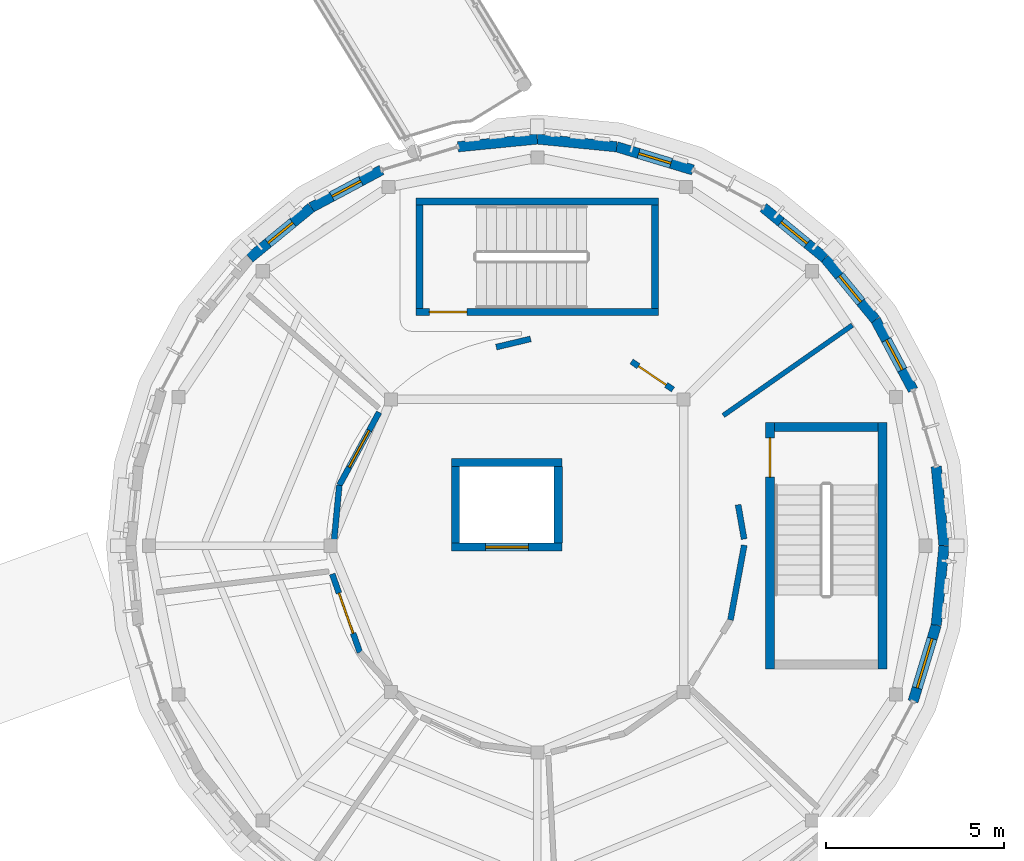
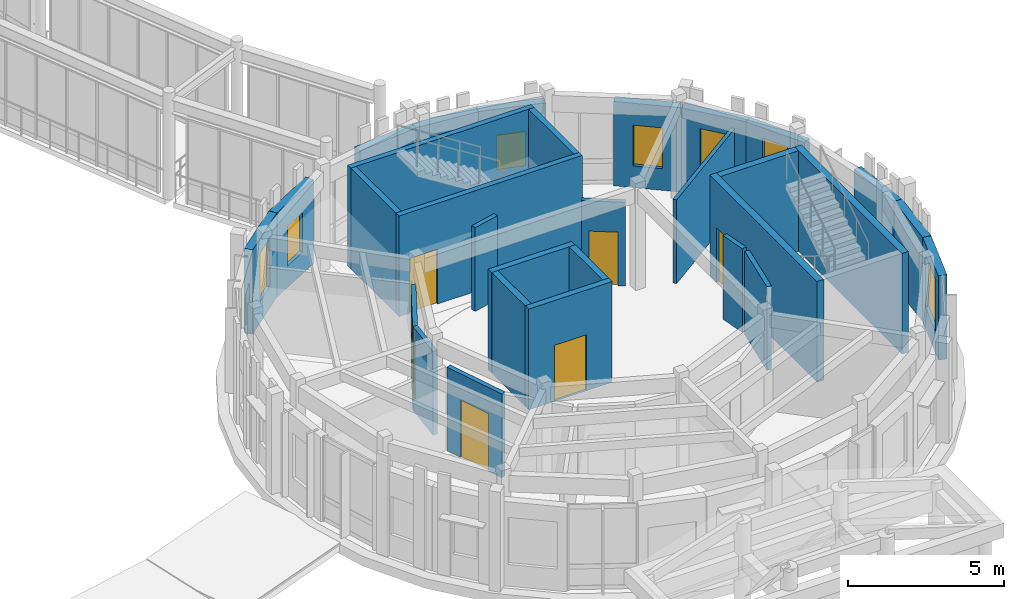
# One storey, part 54 of 80: 30 walls, 7 windows, 6 doors, 13 openings.
"""IFC4 building model written with IfcOpenShell, lengths in metres."""

from ifc_helpers import new_model, si_unit, direction, frame, frame_2d, origin, place, context, subcontext, project, spatial, rectangle, extrude, material, layer, layer_set, type_object, element, fill, save


model = new_model("IFC4")

# Units and contexts
model_context = context("Model", 3, precision=1e-05, world=origin(), true_north=direction((0.0, 1.0)))
body_context = subcontext(model_context, "Body", "Model", "MODEL_VIEW")
ifc_project = project(units=[si_unit("LENGTHUNIT", "METRE"), si_unit("AREAUNIT", "SQUARE_METRE"), si_unit("VOLUMEUNIT", "CUBIC_METRE"), si_unit("PLANEANGLEUNIT", "RADIAN"), si_unit("MASSUNIT", "GRAM", prefix="KILO")], contexts=[model_context])

# Site, building, storey
site_placement = place(None, origin())
site = spatial("IfcSite", under=ifc_project, at=site_placement, CompositionType="ELEMENT")
building_placement = place(site_placement, origin())
building = spatial("IfcBuilding", under=site, at=building_placement, Name="Aldenvaro Health Centre", CompositionType="ELEMENT")
storey_placement = place(building_placement, frame((0.0, 0.0, 4.550048828125)))
storey = spatial("IfcBuildingStorey", under=building, at=storey_placement, Name="L01", CompositionType="ELEMENT", Elevation=4.550048828125)

# Wall
ifc_material_1 = material(Name="Gypsum Stud Acoustic Assembly")
ifc_layer_1 = layer(ifc_material_1, 0.1650390625, Name="Gypsum Stud Acoustic Assembly")
ifc_layer_set_1 = layer_set([ifc_layer_1], Name="Gypsum Stud Acoustic Assembly")
wall_type_1 = type_object("IfcWallType", Name="WL-COR-165", PredefinedType="PARTITIONING", material=ifc_layer_set_1)
wall_1_placement = place(storey_placement, frame((154.31298828125, 24.297119140625, 0.0), z_axis=(0.0, 0.0, 1.0), x_axis=(-0.972586166784, -0.232542787849, 0.0)))
element("IfcWall", 1, at=wall_1_placement, inside=storey, type_object=wall_type_1, Name="D6 L01 corridor wall 01.1", PredefinedType="PARTITIONING", context=body_context, shape_type="SweptSolid", body=[
    extrude(rectangle(XDim=0.989990234375, YDim=0.1650390625, at=frame_2d((0.4951171875, 0.0))), origin(), (0.0, 0.0, 1.0), 3.283935546875),
])

# Wall, opening, door
wall_2_placement = place(storey_placement, frame((150.06689453125, 22.239990234375, 0.0), z_axis=(0.0, 0.0, 1.0), x_axis=(-0.478565523384, -0.878051843474, 0.0)))
wall_2 = element("IfcWall", 2, at=wall_2_placement, inside=storey, type_object=wall_type_1, Name="D6 L01 corridor wall 02.1", PredefinedType="PARTITIONING", context=body_context, shape_type="SweptSolid", body=[
    extrude(rectangle(XDim=2.327880859375, YDim=0.1650390625, at=frame_2d((1.1640625, 0.0))), origin(), (0.0, 0.0, 1.0), 3.283935546875),
])
opening_1_placement = place(wall_2_placement, frame((0.5791015625, 0.0, 0.0)))
opening_1 = element("IfcOpeningElement", 3, at=opening_1_placement, cuts=wall_2, Name="Opening D-25", PredefinedType="OPENING", context=body_context, shape_type="SweptSolid", body=[
    extrude(rectangle(XDim=1.169921875, YDim=2.239990234375, at=frame_2d((0.5849609375, 1.1201171875))), frame((0.0, 0.092529296875, 0.0), z_axis=(0.0, -1.0, 0.0), x_axis=(1.0, 0.0, 0.0)), (0.0, 0.0, 1.0), 0.18505859375),
])
ifc_material_2 = material(Name="Exam Suite Timber Door", Category="wood")
door_type_1 = type_object("IfcDoorType", Name="DR-CLN-25", OperationType="NOTDEFINED", PredefinedType="DOOR", material=ifc_material_2)
door_1_placement = place(opening_1_placement, origin())
door_1 = element("IfcDoor", 4, at=door_1_placement, inside=storey, type_object=door_type_1, Name="Dental Clinic Operatory Bay 02 Door", OperationType="SINGLE_SWING_RIGHT", OverallHeight=2.239990234375, OverallWidth=1.169921875, PredefinedType="DOOR", context=body_context, shape_type="SweptSolid", body=[
    extrude(rectangle(XDim=1.169921875, YDim=2.239990234375, at=frame_2d((0.5849609375, 1.1201171875))), frame((0.0, 0.02490234375, 0.0), z_axis=(0.0, -1.0, 0.0), x_axis=(1.0, 0.0, 0.0)), (0.0, 0.0, 1.0), 0.050048828125),
])
fill(opening_1, door_1)

# Wall
wall_3_placement = place(storey_placement, frame((148.952880859375, 20.196044921875, 0.0), z_axis=(0.0, 0.0, 1.0), x_axis=(-0.094258636882, -0.995547743392, 0.0)))
element("IfcWall", 5, at=wall_3_placement, inside=storey, type_object=wall_type_1, Name="D6 L01 corridor wall 02.2", PredefinedType="PARTITIONING", context=body_context, shape_type="SweptSolid", body=[
    extrude(rectangle(XDim=1.548828125, YDim=0.1650390625, at=frame_2d((0.7744140625, 0.0))), origin(), (0.0, 0.0, 1.0), 3.283935546875),
])

# Wall, opening, door
wall_4_placement = place(storey_placement, frame((148.75390625, 17.7080078125, 0.0), z_axis=(0.0, 0.0, 1.0), x_axis=(0.332606133603, -0.943065830093, 0.0)))
wall_4 = element("IfcWall", 6, at=wall_4_placement, inside=storey, type_object=wall_type_1, Name="D6 L01 corridor wall 03.1", PredefinedType="PARTITIONING", context=body_context, shape_type="SweptSolid", body=[
    extrude(rectangle(XDim=2.32763671875, YDim=0.1650390625, at=frame_2d((1.163818359375, 0.0))), origin(), (0.0, 0.0, 1.0), 3.283935546875),
])
opening_2_placement = place(wall_4_placement, frame((0.569091796875, 0.0, 0.0)))
opening_2 = element("IfcOpeningElement", 7, at=opening_2_placement, cuts=wall_4, Name="Opening D-26", PredefinedType="OPENING", context=body_context, shape_type="SweptSolid", body=[
    extrude(rectangle(XDim=1.18994140625, YDim=2.260009765625, at=frame_2d((0.594970703125, 1.1298828125))), frame((0.0, 0.092529296875, 0.0), z_axis=(0.0, -1.0, 0.0), x_axis=(1.0, 0.0, 0.0)), (0.0, 0.0, 1.0), 0.18505859375),
])
door_type_2 = type_object("IfcDoorType", Name="DR-CLN-26", OperationType="NOTDEFINED", PredefinedType="DOOR", material=ifc_material_2)
door_2_placement = place(opening_2_placement, origin())
door_2 = element("IfcDoor", 8, at=door_2_placement, inside=storey, type_object=door_type_2, Name="Dental Clinic Operatory Bay 03 Door", OperationType="SINGLE_SWING_LEFT", OverallHeight=2.260009765625, OverallWidth=1.18994140625, PredefinedType="DOOR", context=body_context, shape_type="SweptSolid", body=[
    extrude(rectangle(XDim=1.18994140625, YDim=2.260009765625, at=frame_2d((0.594970703125, 1.1298828125))), frame((0.0, 0.02490234375, 0.0), z_axis=(0.0, -1.0, 0.0), x_axis=(1.0, 0.0, 0.0)), (0.0, 0.0, 1.0), 0.050048828125),
])
fill(opening_2, door_2)

# Walls
wall_5_placement = place(storey_placement, frame((159.9150390625, 16.4208984375, 0.0), z_axis=(0.0, 0.0, 1.0), x_axis=(0.180832621822, 0.983513885456, 0.0)))
element("IfcWall", 9, at=wall_5_placement, inside=storey, type_object=wall_type_1, Name="D6 L01 corridor wall 06.2", PredefinedType="PARTITIONING", context=body_context, shape_type="SweptSolid", body=[
    extrude(rectangle(XDim=2.129150390625, YDim=0.1650390625, at=frame_2d((1.064453125, 0.0))), origin(), (0.0, 0.0, 1.0), 3.283935546875),
])
wall_6_placement = place(storey_placement, frame((160.297119140625, 18.68701171875, 0.0), z_axis=(0.0, 0.0, 1.0), x_axis=(-0.172089509946, 0.985081316728, 0.0)))
element("IfcWall", 10, at=wall_6_placement, inside=storey, type_object=wall_type_1, Name="D6 L01 corridor wall 07.1", PredefinedType="PARTITIONING", context=body_context, shape_type="SweptSolid", body=[
    extrude(rectangle(XDim=0.9775390625, YDim=0.1650390625, at=frame_2d((0.48876953125, 0.0))), origin(), (0.0, 0.0, 1.0), 3.283935546875),
])

# Wall, opening, door
wall_7_placement = place(storey_placement, frame((158.304931640625, 22.876953125, 0.0), z_axis=(0.0, 0.0, 1.0), x_axis=(-0.82861509232, 0.559818746362, 0.0)))
wall_7 = element("IfcWall", 11, at=wall_7_placement, inside=storey, type_object=wall_type_1, Name="D6 L01 corridor wall 08.1", PredefinedType="PARTITIONING", context=body_context, shape_type="SweptSolid", body=[
    extrude(rectangle(XDim=1.406005859375, YDim=0.1650390625, at=frame_2d((0.703125, 0.0))), origin(), (0.0, 0.0, 1.0), 3.283935546875),
])
opening_3_placement = place(wall_7_placement, frame((0.23291015625, 0.0, 0.0)))
opening_3 = element("IfcOpeningElement", 12, at=opening_3_placement, cuts=wall_7, Name="Opening WD-02", PredefinedType="OPENING", context=body_context, shape_type="SweptSolid", body=[
    extrude(rectangle(XDim=0.93994140625, YDim=2.10009765625, at=frame_2d((0.469970703125, 1.050048828125))), frame((0.0, 0.092529296875, 0.0), z_axis=(0.0, -1.0, 0.0), x_axis=(1.0, 0.0, 0.0)), (0.0, 0.0, 1.0), 0.18505859375),
])
ifc_material_3 = material(Name="Accessible Sanitary Laminate Door")
door_type_3 = type_object("IfcDoorType", Name="DR-WC-02", OperationType="NOTDEFINED", PredefinedType="DOOR", material=ifc_material_3)
door_3_placement = place(opening_3_placement, origin())
door_3 = element("IfcDoor", 13, at=door_3_placement, inside=storey, type_object=door_type_3, Name="Male Patient WC Door", OperationType="SINGLE_SWING_LEFT", OverallHeight=2.10009765625, OverallWidth=0.93994140625, PredefinedType="DOOR", context=body_context, shape_type="SweptSolid", body=[
    extrude(rectangle(XDim=0.93994140625, YDim=2.10009765625, at=frame_2d((0.469970703125, 1.050048828125))), frame((0.0, 0.02490234375, 0.0), z_axis=(0.0, -1.0, 0.0), x_axis=(1.0, 0.0, 0.0)), (0.0, 0.0, 1.0), 0.050048828125),
])
fill(opening_3, door_3)

# Wall
ifc_material_4 = material(Name="Cross-laminated timber CLT E1", Category="wood")
ifc_layer_2 = layer(ifc_material_4, 0.2900390625, Name="Cross-laminated timber CLT E1", Category="wood")
ifc_layer_set_2 = layer_set([ifc_layer_2], Name="Cross-laminated timber CLT E1")
wall_type_2 = type_object("IfcWallType", Name="WL-EXT-290", PredefinedType="ELEMENTEDWALL", material=ifc_layer_set_2)
wall_8_placement = place(storey_placement, frame((165.89990234375, 18.5, 0.0), z_axis=(0.0, 0.0, 1.0), x_axis=(-0.097989369151, -0.995187461503, 0.0)))
element("IfcWall", 14, at=wall_8_placement, inside=storey, type_object=wall_type_2, Name="D6 L01 exterior wall 01", PredefinedType="ELEMENTEDWALL", context=body_context, shape_type="SweptSolid", body=[
    extrude(rectangle(XDim=2.23486328125, YDim=0.2900390625, at=frame_2d((1.117431640625, 0.0))), origin(), (0.0, 0.0, 1.0), 3.308837890625),
])

# Wall, opening, window
wall_9_placement = place(storey_placement, frame((165.680908203125, 16.27587890625, 0.0), z_axis=(0.0, 0.0, 1.0), x_axis=(-0.290322655883, -0.956928814218, 0.0)))
wall_9 = element("IfcWall", 15, at=wall_9_placement, inside=storey, type_object=wall_type_2, Name="D6 L01 exterior wall 02", PredefinedType="ELEMENTEDWALL", context=body_context, shape_type="SweptSolid", body=[
    extrude(rectangle(XDim=2.235107421875, YDim=0.2900390625, at=frame_2d((1.11767578125, 0.0))), origin(), (0.0, 0.0, 1.0), 3.308837890625),
])
opening_4_placement = place(wall_9_placement, frame((0.39306640625, 0.0, 0.85009765625)))
opening_4 = element("IfcOpeningElement", 16, at=opening_4_placement, cuts=wall_9, Name="Opening W-61", PredefinedType="OPENING", context=body_context, shape_type="SweptSolid", body=[
    extrude(rectangle(XDim=1.449951171875, YDim=2.050048828125, at=frame_2d((0.72509765625, 1.02490234375))), frame((0.0, 0.155029296875, 0.0), z_axis=(0.0, -1.0, 0.0), x_axis=(1.0, 0.0, 0.0)), (0.0, 0.0, 1.0), 0.31005859375),
])
ifc_material_5 = material(Name="Thermally Broken Aluminium Low-E Glass", Category="aluminium")
window_type_1 = type_object("IfcWindowType", Name="WN-EXT-61", PartitioningType="SINGLE_PANEL", PredefinedType="WINDOW", material=ifc_material_5)
window_1_placement = place(opening_4_placement, origin())
window_1 = element("IfcWindow", 17, at=window_1_placement, inside=storey, type_object=window_type_1, Name="D6 L01 clinical window 02", OverallHeight=2.050048828125, OverallWidth=1.449951171875, PartitioningType="SINGLE_PANEL", PredefinedType="WINDOW", context=body_context, shape_type="SweptSolid", body=[
    extrude(rectangle(XDim=1.449951171875, YDim=2.050048828125, at=frame_2d((0.72509765625, 1.02490234375))), frame((0.0, 0.030029296875, 0.0), z_axis=(0.0, -1.0, 0.0), x_axis=(1.0, 0.0, 0.0)), (0.0, 0.0, 1.0), 0.06005859375),
])
fill(opening_4, window_1)

wall_10_placement = place(storey_placement, frame((146.43896484375, 26.56103515625, 0.0), z_axis=(0.0, 0.0, 1.0), x_axis=(0.772875513354, 0.63455767339, 0.0)))
wall_10 = element("IfcWall", 18, at=wall_10_placement, inside=storey, type_object=wall_type_2, Name="D6 L01 exterior wall 21", PredefinedType="ELEMENTEDWALL", context=body_context, shape_type="SweptSolid", body=[
    extrude(rectangle(XDim=2.234619140625, YDim=0.2900390625, at=frame_2d((1.1171875, 0.0))), origin(), (0.0, 0.0, 1.0), 3.308837890625),
])
opening_5_placement = place(wall_10_placement, frame((0.6669921875, 0.0, 0.85009765625)))
opening_5 = element("IfcOpeningElement", 19, at=opening_5_placement, cuts=wall_10, Name="Opening W-07", PredefinedType="OPENING", context=body_context, shape_type="SweptSolid", body=[
    extrude(rectangle(XDim=0.89990234375, YDim=1.89990234375, at=frame_2d((0.449951171875, 0.949951171875))), frame((0.0, 0.155029296875, 0.0), z_axis=(0.0, -1.0, 0.0), x_axis=(1.0, 0.0, 0.0)), (0.0, 0.0, 1.0), 0.31005859375),
])
window_type_2 = type_object("IfcWindowType", Name="WN-EXT-07", PartitioningType="SINGLE_PANEL", PredefinedType="WINDOW", material=ifc_material_5)
window_2_placement = place(opening_5_placement, origin())
window_2 = element("IfcWindow", 20, at=window_2_placement, inside=storey, type_object=window_type_2, Name="D6 L01 clinical window 21", OverallHeight=1.89990234375, OverallWidth=0.89990234375, PartitioningType="SINGLE_PANEL", PredefinedType="WINDOW", context=body_context, shape_type="SweptSolid", body=[
    extrude(rectangle(XDim=0.89990234375, YDim=1.89990234375, at=frame_2d((0.449951171875, 0.949951171875))), frame((0.0, 0.030029296875, 0.0), z_axis=(0.0, -1.0, 0.0), x_axis=(1.0, 0.0, 0.0)), (0.0, 0.0, 1.0), 0.06005859375),
])
fill(opening_5, window_2)

wall_11_placement = place(storey_placement, frame((148.166015625, 27.97900390625, 0.0), z_axis=(0.0, 0.0, 1.0), x_axis=(0.882017012185, 0.471217561446, 0.0)))
wall_11 = element("IfcWall", 21, at=wall_11_placement, inside=storey, type_object=wall_type_2, Name="D6 L01 exterior wall 22", PredefinedType="ELEMENTEDWALL", context=body_context, shape_type="SweptSolid", body=[
    extrude(rectangle(XDim=2.234619140625, YDim=0.2900390625, at=frame_2d((1.1171875, 0.0))), origin(), (0.0, 0.0, 1.0), 3.308837890625),
])
opening_6_placement = place(wall_11_placement, frame((0.656982421875, 0.0, 0.85009765625)))
opening_6 = element("IfcOpeningElement", 22, at=opening_6_placement, cuts=wall_11, Name="Opening W-08", PredefinedType="OPENING", context=body_context, shape_type="SweptSolid", body=[
    extrude(rectangle(XDim=0.919921875, YDim=1.550048828125, at=frame_2d((0.4599609375, 0.77490234375))), frame((0.0, 0.155029296875, 0.0), z_axis=(0.0, -1.0, 0.0), x_axis=(1.0, 0.0, 0.0)), (0.0, 0.0, 1.0), 0.31005859375),
])
window_type_3 = type_object("IfcWindowType", Name="WN-EXT-08", PartitioningType="SINGLE_PANEL", PredefinedType="WINDOW", material=ifc_material_5)
window_3_placement = place(opening_6_placement, origin())
window_3 = element("IfcWindow", 23, at=window_3_placement, inside=storey, type_object=window_type_3, Name="D6 L01 clinical window 22", OverallHeight=1.550048828125, OverallWidth=0.919921875, PartitioningType="SINGLE_PANEL", PredefinedType="WINDOW", context=body_context, shape_type="SweptSolid", body=[
    extrude(rectangle(XDim=0.919921875, YDim=1.550048828125, at=frame_2d((0.4599609375, 0.77490234375))), frame((0.0, 0.030029296875, 0.0), z_axis=(0.0, -1.0, 0.0), x_axis=(1.0, 0.0, 0.0)), (0.0, 0.0, 1.0), 0.06005859375),
])
fill(opening_6, window_3)

# Walls
for number, where, z_axis, x_axis, name in (
    (24, (152.27587890625, 29.680908203125, 0.0), (0.0, 0.0, 1.0), (0.995187461503, 0.097989369151, 0.0), "D6 L01 exterior wall 24"),
    (25, (154.5, 29.89990234375, 0.0), (0.0, 0.0, 1.0), (0.995187461503, -0.097989369151, 0.0), "D6 L01 exterior wall 25"),
):
    element("IfcWall", number, at=place(storey_placement, frame(where, z_axis=z_axis, x_axis=x_axis)), inside=storey, type_object=wall_type_2, Name=name, PredefinedType="ELEMENTEDWALL", context=body_context, shape_type="SweptSolid", body=[
        extrude(rectangle(XDim=2.23486328125, YDim=0.2900390625, at=frame_2d((1.117431640625, 0.0))), origin(), (0.0, 0.0, 1.0), 3.308837890625),
    ])

# Wall, opening, window
wall_12_placement = place(storey_placement, frame((156.72412109375, 29.680908203125, 0.0), z_axis=(0.0, 0.0, 1.0), x_axis=(0.956928814218, -0.290322655883, 0.0)))
wall_12 = element("IfcWall", 26, at=wall_12_placement, inside=storey, type_object=wall_type_2, Name="D6 L01 exterior wall 26", PredefinedType="ELEMENTEDWALL", context=body_context, shape_type="SweptSolid", body=[
    extrude(rectangle(XDim=2.235107421875, YDim=0.2900390625, at=frame_2d((1.11767578125, 0.0))), origin(), (0.0, 0.0, 1.0), 3.308837890625),
])
opening_7_placement = place(wall_12_placement, frame((0.64306640625, 0.0, 0.85009765625)))
opening_7 = element("IfcOpeningElement", 27, at=opening_7_placement, cuts=wall_12, Name="Opening W-09", PredefinedType="OPENING", context=body_context, shape_type="SweptSolid", body=[
    extrude(rectangle(XDim=0.949951171875, YDim=1.35009765625, at=frame_2d((0.47509765625, 0.675048828125))), frame((0.0, 0.155029296875, 0.0), z_axis=(0.0, -1.0, 0.0), x_axis=(1.0, 0.0, 0.0)), (0.0, 0.0, 1.0), 0.31005859375),
])
window_type_4 = type_object("IfcWindowType", Name="WN-EXT-09", PartitioningType="SINGLE_PANEL", PredefinedType="WINDOW", material=ifc_material_5)
window_4_placement = place(opening_7_placement, origin())
window_4 = element("IfcWindow", 28, at=window_4_placement, inside=storey, type_object=window_type_4, Name="D6 L01 clinical window 26", OverallHeight=1.35009765625, OverallWidth=0.949951171875, PartitioningType="SINGLE_PANEL", PredefinedType="WINDOW", context=body_context, shape_type="SweptSolid", body=[
    extrude(rectangle(XDim=0.949951171875, YDim=1.35009765625, at=frame_2d((0.47509765625, 0.675048828125))), frame((0.0, 0.030029296875, 0.0), z_axis=(0.0, -1.0, 0.0), x_axis=(1.0, 0.0, 0.0)), (0.0, 0.0, 1.0), 0.06005859375),
])
fill(opening_7, window_4)

wall_13_placement = place(storey_placement, frame((160.833984375, 27.97900390625, 0.0), z_axis=(0.0, 0.0, 1.0), x_axis=(0.772875513354, -0.63455767339, 0.0)))
wall_13 = element("IfcWall", 29, at=wall_13_placement, inside=storey, type_object=wall_type_2, Name="D6 L01 exterior wall 28", PredefinedType="ELEMENTEDWALL", context=body_context, shape_type="SweptSolid", body=[
    extrude(rectangle(XDim=2.234619140625, YDim=0.2900390625, at=frame_2d((1.1171875, 0.0))), origin(), (0.0, 0.0, 1.0), 3.308837890625),
])
opening_8_placement = place(wall_13_placement, frame((0.64208984375, 0.0, 0.85009765625)))
opening_8 = element("IfcOpeningElement", 30, at=opening_8_placement, cuts=wall_13, Name="Opening W-10", PredefinedType="OPENING", context=body_context, shape_type="SweptSolid", body=[
    extrude(rectangle(XDim=0.949951171875, YDim=1.60009765625, at=frame_2d((0.47509765625, 0.800048828125))), frame((0.0, 0.155029296875, 0.0), z_axis=(0.0, -1.0, 0.0), x_axis=(1.0, 0.0, 0.0)), (0.0, 0.0, 1.0), 0.31005859375),
])
window_type_5 = type_object("IfcWindowType", Name="WN-EXT-10", PartitioningType="SINGLE_PANEL", PredefinedType="WINDOW", material=ifc_material_5)
window_5_placement = place(opening_8_placement, origin())
window_5 = element("IfcWindow", 31, at=window_5_placement, inside=storey, type_object=window_type_5, Name="D6 L01 clinical window 28", OverallHeight=1.60009765625, OverallWidth=0.949951171875, PartitioningType="SINGLE_PANEL", PredefinedType="WINDOW", context=body_context, shape_type="SweptSolid", body=[
    extrude(rectangle(XDim=0.949951171875, YDim=1.60009765625, at=frame_2d((0.47509765625, 0.800048828125))), frame((0.0, 0.030029296875, 0.0), z_axis=(0.0, -1.0, 0.0), x_axis=(1.0, 0.0, 0.0)), (0.0, 0.0, 1.0), 0.06005859375),
])
fill(opening_8, window_5)

wall_14_placement = place(storey_placement, frame((162.56103515625, 26.56103515625, 0.0), z_axis=(0.0, 0.0, 1.0), x_axis=(0.63455767339, -0.772875513354, 0.0)))
wall_14 = element("IfcWall", 32, at=wall_14_placement, inside=storey, type_object=wall_type_2, Name="D6 L01 exterior wall 29", PredefinedType="ELEMENTEDWALL", context=body_context, shape_type="SweptSolid", body=[
    extrude(rectangle(XDim=2.234619140625, YDim=0.2900390625, at=frame_2d((1.1171875, 0.0))), origin(), (0.0, 0.0, 1.0), 3.308837890625),
])
opening_9_placement = place(wall_14_placement, frame((0.64208984375, 0.0, 0.85009765625)))
opening_9 = element("IfcOpeningElement", 33, at=opening_9_placement, cuts=wall_14, Name="Opening W-11", PredefinedType="OPENING", context=body_context, shape_type="SweptSolid", body=[
    extrude(rectangle(XDim=0.949951171875, YDim=1.800048828125, at=frame_2d((0.47509765625, 0.89990234375))), frame((0.0, 0.155029296875, 0.0), z_axis=(0.0, -1.0, 0.0), x_axis=(1.0, 0.0, 0.0)), (0.0, 0.0, 1.0), 0.31005859375),
])
window_type_6 = type_object("IfcWindowType", Name="WN-EXT-11", PartitioningType="SINGLE_PANEL", PredefinedType="WINDOW", material=ifc_material_5)
window_6_placement = place(opening_9_placement, origin())
window_6 = element("IfcWindow", 34, at=window_6_placement, inside=storey, type_object=window_type_6, Name="D6 L01 clinical window 29", OverallHeight=1.800048828125, OverallWidth=0.949951171875, PartitioningType="SINGLE_PANEL", PredefinedType="WINDOW", context=body_context, shape_type="SweptSolid", body=[
    extrude(rectangle(XDim=0.949951171875, YDim=1.800048828125, at=frame_2d((0.47509765625, 0.89990234375))), frame((0.0, 0.030029296875, 0.0), z_axis=(0.0, -1.0, 0.0), x_axis=(1.0, 0.0, 0.0)), (0.0, 0.0, 1.0), 0.06005859375),
])
fill(opening_9, window_6)

wall_15_placement = place(storey_placement, frame((163.97900390625, 24.833984375, 0.0), z_axis=(0.0, 0.0, 1.0), x_axis=(0.471217561446, -0.882017012185, 0.0)))
wall_15 = element("IfcWall", 35, at=wall_15_placement, inside=storey, type_object=wall_type_2, Name="D6 L01 exterior wall 30", PredefinedType="ELEMENTEDWALL", context=body_context, shape_type="SweptSolid", body=[
    extrude(rectangle(XDim=2.234619140625, YDim=0.2900390625, at=frame_2d((1.1171875, 0.0))), origin(), (0.0, 0.0, 1.0), 3.308837890625),
])
opening_10_placement = place(wall_15_placement, frame((0.64208984375, 0.0, 0.85009765625)))
opening_10 = element("IfcOpeningElement", 36, at=opening_10_placement, cuts=wall_15, Name="Opening W-12", PredefinedType="OPENING", context=body_context, shape_type="SweptSolid", body=[
    extrude(rectangle(XDim=0.949951171875, YDim=2.050048828125, at=frame_2d((0.47509765625, 1.02490234375))), frame((0.0, 0.155029296875, 0.0), z_axis=(0.0, -1.0, 0.0), x_axis=(1.0, 0.0, 0.0)), (0.0, 0.0, 1.0), 0.31005859375),
])
window_type_7 = type_object("IfcWindowType", Name="WN-EXT-12", PartitioningType="SINGLE_PANEL", PredefinedType="WINDOW", material=ifc_material_5)
window_7_placement = place(opening_10_placement, origin())
window_7 = element("IfcWindow", 37, at=window_7_placement, inside=storey, type_object=window_type_7, Name="D6 L01 clinical window 30", OverallHeight=2.050048828125, OverallWidth=0.949951171875, PartitioningType="SINGLE_PANEL", PredefinedType="WINDOW", context=body_context, shape_type="SweptSolid", body=[
    extrude(rectangle(XDim=0.949951171875, YDim=2.050048828125, at=frame_2d((0.47509765625, 1.02490234375))), frame((0.0, 0.030029296875, 0.0), z_axis=(0.0, -1.0, 0.0), x_axis=(1.0, 0.0, 0.0)), (0.0, 0.0, 1.0), 0.06005859375),
])
fill(opening_10, window_7)

# Wall
wall_16_placement = place(storey_placement, frame((165.680908203125, 20.72412109375, 0.0), z_axis=(0.0, 0.0, 1.0), x_axis=(0.097989369151, -0.995187461503, 0.0)))
element("IfcWall", 38, at=wall_16_placement, inside=storey, type_object=wall_type_2, Name="D6 L01 exterior wall 32", PredefinedType="ELEMENTEDWALL", context=body_context, shape_type="SweptSolid", body=[
    extrude(rectangle(XDim=2.23486328125, YDim=0.2900390625, at=frame_2d((1.117431640625, 0.0))), origin(), (0.0, 0.0, 1.0), 3.308837890625),
])

# Wall, opening, door
ifc_material_6 = material(Name="Concrete f'c 40 MPa", Category="concrete")
ifc_layer_3 = layer(ifc_material_6, 0.199951171875, Name="Concrete f'c 40 MPa", Category="concrete")
ifc_layer_set_3 = layer_set([ifc_layer_3], Name="Concrete f'c 40 MPa")
wall_type_3 = type_object("IfcWallType", Name="WL-SHAFT-200", PredefinedType="SHEAR", material=ifc_layer_set_3)
wall_17_placement = place(storey_placement, frame((151.10009765625, 25.050048828125, 0.0), z_axis=(0.0, 0.0, 1.0), x_axis=(1.0, 0.0, 0.0)))
wall_17 = element("IfcWall", 39, at=wall_17_placement, inside=storey, type_object=wall_type_3, Name="ST-12 L01 inner core wall", PredefinedType="SHEAR", context=body_context, shape_type="SweptSolid", body=[
    extrude(rectangle(XDim=6.7998046875, YDim=0.199951171875, at=frame_2d((3.39990234375, 0.0))), origin(), (0.0, 0.0, 1.0), 3.954833984375),
])
opening_11_placement = place(wall_17_placement, frame((0.3798828125, 0.0, 0.0)))
opening_11 = element("IfcOpeningElement", 40, at=opening_11_placement, cuts=wall_17, Name="Opening FD-02", PredefinedType="OPENING", context=body_context, shape_type="SweptSolid", body=[
    extrude(rectangle(XDim=1.050048828125, YDim=2.14990234375, at=frame_2d((0.52490234375, 1.074951171875))), frame((0.0, 0.10986328125, 0.0), z_axis=(0.0, -1.0, 0.0), x_axis=(1.0, 0.0, 0.0)), (0.0, 0.0, 1.0), 0.219970703125),
])
ifc_material_7 = material(Name="Fire-Rated Steel Door Assembly", Category="steel")
door_type_4 = type_object("IfcDoorType", Name="DR-STAIR-105", OperationType="NOTDEFINED", PredefinedType="DOOR", material=ifc_material_7)
door_4_placement = place(opening_11_placement, origin())
door_4 = element("IfcDoor", 41, at=door_4_placement, inside=storey, type_object=door_type_4, Name="ST-12 L01 fire stair door", OperationType="SINGLE_SWING_LEFT", OverallHeight=2.14990234375, OverallWidth=1.050048828125, PredefinedType="DOOR", context=body_context, shape_type="SweptSolid", body=[
    extrude(rectangle(XDim=1.050048828125, YDim=2.14990234375, at=frame_2d((0.52490234375, 1.074951171875))), frame((0.0, 0.02490234375, 0.0), z_axis=(0.0, -1.0, 0.0), x_axis=(1.0, 0.0, 0.0)), (0.0, 0.0, 1.0), 0.050048828125),
])
fill(opening_11, door_4)

# Walls
wall_18_placement = place(storey_placement, frame((151.10009765625, 28.14990234375, 0.0), z_axis=(0.0, 0.0, 1.0), x_axis=(1.0, 0.0, 0.0)))
element("IfcWall", 42, at=wall_18_placement, inside=storey, type_object=wall_type_3, Name="ST-12 L01 far core wall", PredefinedType="SHEAR", context=body_context, shape_type="SweptSolid", body=[
    extrude(rectangle(XDim=6.7998046875, YDim=0.199951171875, at=frame_2d((3.39990234375, 0.0))), origin(), (0.0, 0.0, 1.0), 3.954833984375),
])
for number, where, z_axis, x_axis, name in (
    (43, (151.199951171875, 25.14990234375, 0.0), (0.0, 0.0, 1.0), (0.0, 1.0, 0.0), "ST-12 L01 side core wall L"),
    (44, (157.800048828125, 25.14990234375, 0.0), (0.0, 0.0, 1.0), (0.0, 1.0, 0.0), "ST-12 L01 side core wall R"),
):
    element("IfcWall", number, at=place(storey_placement, frame(where, z_axis=z_axis, x_axis=x_axis)), inside=storey, type_object=wall_type_3, Name=name, PredefinedType="SHEAR", context=body_context, shape_type="SweptSolid", body=[
        extrude(rectangle(XDim=2.900146484375, YDim=0.199951171875, at=frame_2d((1.4501953125, 0.0))), origin(), (0.0, 0.0, 1.0), 3.954833984375),
    ])

# Wall, opening, door
ifc_layer_4 = layer(ifc_material_6, 0.22509765625, Name="Concrete f'c 40 MPa", Category="concrete")
ifc_layer_set_4 = layer_set([ifc_layer_4], Name="Concrete f'c 40 MPa")
wall_type_4 = type_object("IfcWallType", Name="WL-SHAFT-225", PredefinedType="SHEAR", material=ifc_layer_set_4)
wall_19_placement = place(storey_placement, frame((152.10009765625, 18.4619140625, 0.0), z_axis=(0.0, 0.0, 1.0), x_axis=(1.0, 0.0, 0.0)))
wall_19 = element("IfcWall", 45, at=wall_19_placement, inside=storey, type_object=wall_type_4, Name="LF-06 L01 lift shaft front wall", PredefinedType="SHEAR", context=body_context, shape_type="SweptSolid", body=[
    extrude(rectangle(XDim=3.099853515625, YDim=0.22509765625, at=frame_2d((1.5498046875, 0.0))), origin(), (0.0, 0.0, 1.0), 3.954833984375),
])
opening_12_placement = place(wall_19_placement, frame((0.949951171875, 0.0, 0.0)))
opening_12 = element("IfcOpeningElement", 46, at=opening_12_placement, cuts=wall_19, Name="Opening LD-01", PredefinedType="OPENING", context=body_context, shape_type="SweptSolid", body=[
    extrude(rectangle(XDim=1.199951171875, YDim=2.199951171875, at=frame_2d((0.60009765625, 1.10009765625))), frame((0.0, 0.12255859375, 0.0), z_axis=(0.0, -1.0, 0.0), x_axis=(1.0, 0.0, 0.0)), (0.0, 0.0, 1.0), 0.2451171875),
])
ifc_material_8 = material(Name="Stainless Steel Lift Landing Door", Category="steel")
door_type_5 = type_object("IfcDoorType", Name="DR-LIFT-120", OperationType="DOUBLE_DOOR_SLIDING", PredefinedType="DOOR", material=ifc_material_8)
door_5_placement = place(opening_12_placement, origin())
door_5 = element("IfcDoor", 47, at=door_5_placement, inside=storey, type_object=door_type_5, Name="Lift LF-06 L01 Sliding Landing Door", OperationType="DOUBLE_DOOR_SLIDING", OverallHeight=2.199951171875, OverallWidth=1.199951171875, PredefinedType="DOOR", context=body_context, shape_type="SweptSolid", body=[
    extrude(rectangle(XDim=1.199951171875, YDim=2.199951171875, at=frame_2d((0.60009765625, 1.10009765625))), frame((0.0, 0.02490234375, 0.0), z_axis=(0.0, -1.0, 0.0), x_axis=(1.0, 0.0, 0.0)), (0.0, 0.0, 1.0), 0.050048828125),
])
fill(opening_12, door_5)

# Walls
wall_20_placement = place(storey_placement, frame((152.10009765625, 20.8369140625, 0.0), z_axis=(0.0, 0.0, 1.0), x_axis=(1.0, 0.0, 0.0)))
element("IfcWall", 48, at=wall_20_placement, inside=storey, type_object=wall_type_4, Name="LF-06 L01 lift shaft rear wall", PredefinedType="SHEAR", context=body_context, shape_type="SweptSolid", body=[
    extrude(rectangle(XDim=3.099853515625, YDim=0.22509765625, at=frame_2d((1.5498046875, 0.0))), origin(), (0.0, 0.0, 1.0), 3.954833984375),
])
for number, where, z_axis, x_axis, name in (
    (49, (152.212890625, 18.574951171875, 0.0), (0.0, 0.0, 1.0), (0.0, 1.0, 0.0), "LF-06 L01 lift shaft side wall L"),
    (50, (155.087890625, 18.574951171875, 0.0), (0.0, 0.0, 1.0), (0.0, 1.0, 0.0), "LF-06 L01 lift shaft side wall R"),
):
    element("IfcWall", number, at=place(storey_placement, frame(where, z_axis=z_axis, x_axis=x_axis)), inside=storey, type_object=wall_type_4, Name=name, PredefinedType="SHEAR", context=body_context, shape_type="SweptSolid", body=[
        extrude(rectangle(XDim=2.150146484375, YDim=0.22509765625, at=frame_2d((1.0751953125, 0.0))), origin(), (0.0, 0.0, 1.0), 3.954833984375),
    ])

# Wall, opening, door
ifc_layer_5 = layer(ifc_material_6, 0.25, Name="Concrete f'c 40 MPa", Category="concrete")
ifc_layer_set_5 = layer_set([ifc_layer_5], Name="Concrete f'c 40 MPa")
wall_type_5 = type_object("IfcWallType", Name="WL-SHAFT-250", PredefinedType="SHEAR", material=ifc_layer_set_5)
wall_21_placement = place(storey_placement, frame((161.02490234375, 21.949951171875, 0.0), z_axis=(0.0, 0.0, 1.0), x_axis=(0.0, -1.0, 0.0)))
wall_21 = element("IfcWall", 51, at=wall_21_placement, inside=storey, type_object=wall_type_5, Name="ST-11 L01 inner core wall", PredefinedType="SHEAR", context=body_context, shape_type="SweptSolid", body=[
    extrude(rectangle(XDim=6.89990234375, YDim=0.25, at=frame_2d((3.449951171875, 0.0))), origin(), (0.0, 0.0, 1.0), 3.954833984375),
])
opening_13_placement = place(wall_21_placement, frame((0.429931640625, 0.0, 0.0)))
opening_13 = element("IfcOpeningElement", 52, at=opening_13_placement, cuts=wall_21, Name="Opening FD-01", PredefinedType="OPENING", context=body_context, shape_type="SweptSolid", body=[
    extrude(rectangle(XDim=1.10009765625, YDim=2.14990234375, at=frame_2d((0.550048828125, 1.074951171875))), frame((0.0, 0.135009765625, 0.0), z_axis=(0.0, -1.0, 0.0), x_axis=(1.0, 0.0, 0.0)), (0.0, 0.0, 1.0), 0.27001953125),
])
door_type_6 = type_object("IfcDoorType", Name="DR-STAIR-110", OperationType="NOTDEFINED", PredefinedType="DOOR", material=ifc_material_7)
door_6_placement = place(opening_13_placement, origin())
door_6 = element("IfcDoor", 53, at=door_6_placement, inside=storey, type_object=door_type_6, Name="ST-11 L01 fire stair door", OperationType="SINGLE_SWING_LEFT", OverallHeight=2.14990234375, OverallWidth=1.10009765625, PredefinedType="DOOR", context=body_context, shape_type="SweptSolid", body=[
    extrude(rectangle(XDim=1.10009765625, YDim=2.14990234375, at=frame_2d((0.550048828125, 1.074951171875))), frame((0.0, 0.02490234375, 0.0), z_axis=(0.0, -1.0, 0.0), x_axis=(1.0, 0.0, 0.0)), (0.0, 0.0, 1.0), 0.050048828125),
])
fill(opening_13, door_6)

# Walls
wall_22_placement = place(storey_placement, frame((164.175048828125, 21.949951171875, 0.0), z_axis=(0.0, 0.0, 1.0), x_axis=(0.0, -1.0, 0.0)))
element("IfcWall", 54, at=wall_22_placement, inside=storey, type_object=wall_type_5, Name="ST-11 L01 far core wall", PredefinedType="SHEAR", context=body_context, shape_type="SweptSolid", body=[
    extrude(rectangle(XDim=6.89990234375, YDim=0.25, at=frame_2d((3.449951171875, 0.0))), origin(), (0.0, 0.0, 1.0), 3.954833984375),
])
wall_23_placement = place(storey_placement, frame((161.14990234375, 21.824951171875, 0.0), z_axis=(0.0, 0.0, 1.0), x_axis=(1.0, 0.0, 0.0)))
element("IfcWall", 55, at=wall_23_placement, inside=storey, type_object=wall_type_5, Name="ST-11 L01 side core wall L", PredefinedType="SHEAR", context=body_context, shape_type="SweptSolid", body=[
    extrude(rectangle(XDim=2.900146484375, YDim=0.25, at=frame_2d((1.4501953125, 0.0))), origin(), (0.0, 0.0, 1.0), 3.954833984375),
])
ifc_material_9 = material(Name="Moisture-Resistant Plumbing Stud Wall")
ifc_layer_6 = layer(ifc_material_9, 0.135009765625, Name="Moisture-Resistant Plumbing Stud Wall")
ifc_layer_set_6 = layer_set([ifc_layer_6], Name="Moisture-Resistant Plumbing Stud Wall")
wall_type_6 = type_object("IfcWallType", Name="WL-WET-135", PredefinedType="PLUMBINGWALL", material=ifc_layer_set_6)
wall_24_placement = place(storey_placement, frame((159.712890625, 22.14990234375, 0.0), z_axis=(0.0, 0.0, 1.0), x_axis=(0.819164362173, 0.573558844187, 0.0)))
element("IfcWall", 56, at=wall_24_placement, inside=storey, type_object=wall_type_6, Name="D6 L01 clinical partition 8.1", PredefinedType="PLUMBINGWALL", context=body_context, shape_type="SweptSolid", body=[
    extrude(rectangle(XDim=4.41455078125, YDim=0.135009765625, at=frame_2d((2.207275390625, 0.0))), origin(), (0.0, 0.0, 1.0), 3.283935546875),
])

save(model, "model.ifc")
